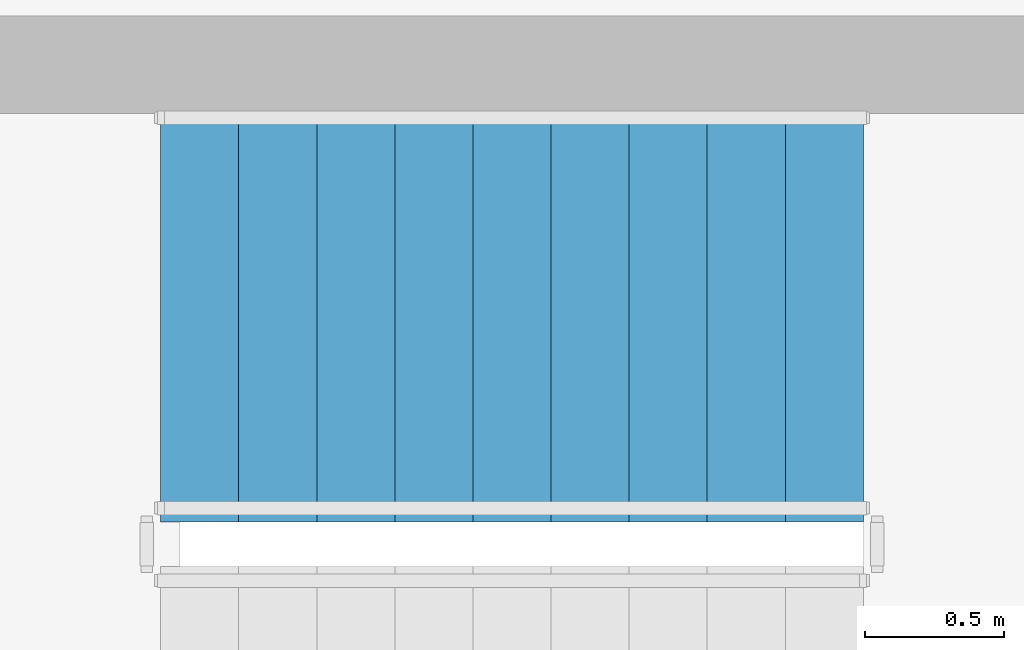
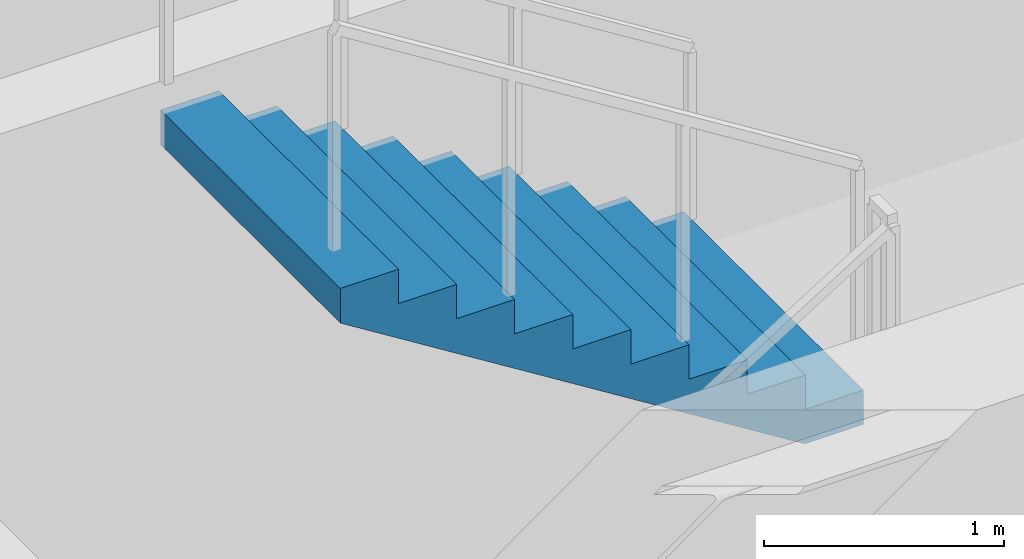
# One storey, part 11 of 15: 1 stair flight, 1 element without a shape of its own.
"""IFC4 building model written with IfcOpenShell, lengths in metres."""

from ifc_helpers import new_model, si_unit, direction, frame, origin, place, context, subcontext, project, spatial, polyline, outline, extrude, material, layer, layer_set, type_object, element, aggregate, save


model = new_model("IFC4")

# Units and contexts
model_context = context("Model", 3, precision=1e-05, world=origin(), true_north=direction((0.0, 1.0)))
body_context = subcontext(model_context, "Body", "Model", "MODEL_VIEW")
ifc_project = project(units=[si_unit("LENGTHUNIT", "METRE"), si_unit("AREAUNIT", "SQUARE_METRE"), si_unit("VOLUMEUNIT", "CUBIC_METRE"), si_unit("PLANEANGLEUNIT", "RADIAN"), si_unit("MASSUNIT", "GRAM", prefix="KILO")], contexts=[model_context])

# Site, building, storey
site_placement = place(None, origin())
site = spatial("IfcSite", under=ifc_project, at=site_placement, CompositionType="ELEMENT")
building_placement = place(site_placement, origin())
building = spatial("IfcBuilding", under=site, at=building_placement, Name="Zarnavel Station Tower", CompositionType="ELEMENT")
storey_placement = place(building_placement, frame((0.0, 0.0, 57.0)))
storey = spatial("IfcBuildingStorey", under=building, at=storey_placement, Name="L15", CompositionType="ELEMENT", Elevation=57.0)

# Stair, stair flight
ifc_material_1 = material(Name="Concrete C45/55", Category="concrete")
stair_type = type_object("IfcStairType", Name="ST_CORE_150", PredefinedType="HALF_TURN_STAIR", material=ifc_material_1)
stair_placement = place(storey_placement, origin())
stair = element("IfcStair", 1, at=stair_placement, inside=storey, type_object=stair_type, Name="L15 Core Exit Stair ST3", PredefinedType="HALF_TURN_STAIR")
ifc_material_2 = material(Name="Concrete C45/55", Category="concrete")
ifc_layer = layer(ifc_material_2, 0.179931640625)
ifc_layer_set = layer_set([ifc_layer], Name="ST_CORE_150_FLT")
stair_flight_type = type_object("IfcStairFlightType", Name="ST_CORE_150_FLT", PredefinedType="STRAIGHT", material=ifc_layer_set)
stair_flight_placement = place(storey_placement, frame((41.8701171875, 30.530029296875, 1.75), z_axis=(0.0, 0.0, 1.0), x_axis=(-1.0, 0.0, 0.0)))
stair_flight = element("IfcStairFlight", 2, at=stair_flight_placement, type_object=stair_flight_type, Name="ST3 flight 2", NumberOfRisers=10, NumberOfTreads=9, PredefinedType="STRAIGHT", RiserHeight=0.175, TreadLength=0.28, context=body_context, shape_type="SweptSolid", body=[
    extrude(outline(polyline([(0.0, 0.0), (0.0, 0.175048828125), (0.280029296875, 0.175048828125), (0.280029296875, 0.35009765625), (0.56005859375, 0.35009765625), (0.56005859375, 0.52490234375), (0.840087890625, 0.52490234375), (0.840087890625, 0.699951171875), (1.1201171875, 0.699951171875), (1.1201171875, 0.875), (1.39990234375, 0.875), (1.39990234375, 1.050048828125), (1.679931640625, 1.050048828125), (1.679931640625, 1.22509765625), (1.9599609375, 1.22509765625), (1.9599609375, 1.39990234375), (2.239990234375, 1.39990234375), (2.239990234375, 1.574951171875), (2.52001953125, 1.574951171875), (2.52001953125, 1.75), (2.52001953125, 1.398193359375), (0.28271484375, 0.0), (0.0, 0.0)])), frame((0.0, 0.75, 0.0), z_axis=(0.0, -1.0, 0.0), x_axis=(1.0, 0.0, 0.0)), (0.0, 0.0, 1.0), 1.5),
])
aggregate(stair, [stair_flight])

save(model, "model.ifc")
